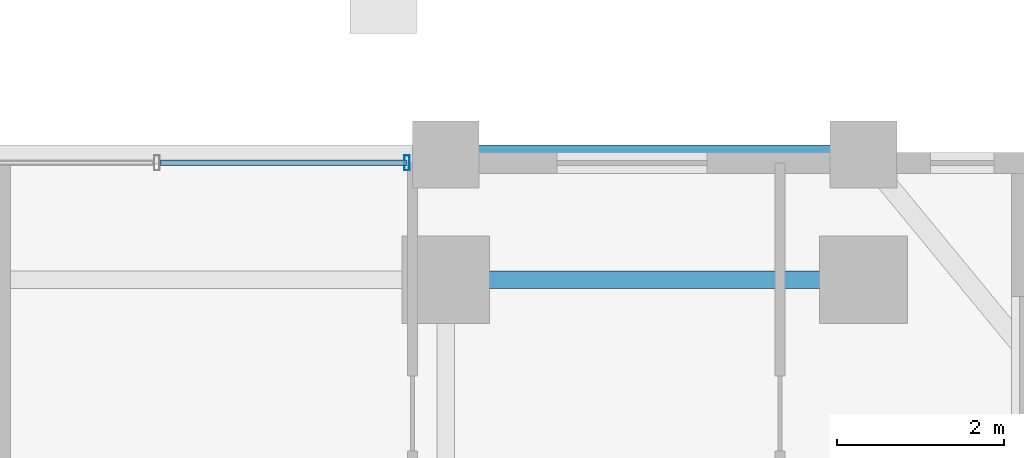
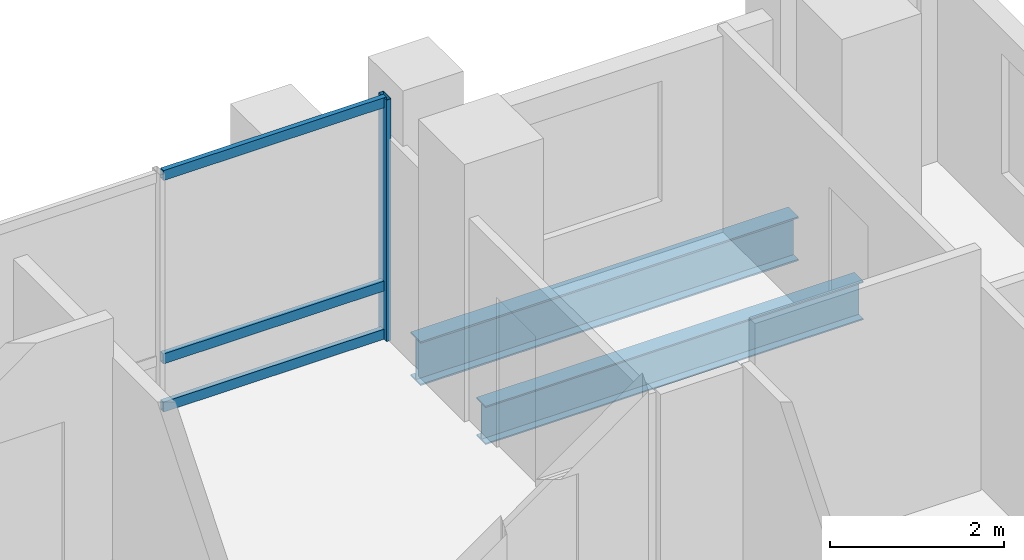
# One storey, part 16 of 24: 4 members, 2 beams, 1 element without a shape of its own.
"""IFC4 building model written with IfcOpenShell, lengths in metres."""

from ifc_helpers import new_model, si_unit, direction, frame, origin, origin_2d, place, context, subcontext, project, spatial, hollow_rectangle, i_section, extrude, material, layer, layer_set, material_profile, profile_set, type_object, element, aggregate, save


model = new_model("IFC4")

# Units and contexts
model_context = context("Model", 3, precision=1e-05, world=origin(), true_north=direction((0.0, 1.0)))
body_context = subcontext(model_context, "Body", "Model", "MODEL_VIEW")
ifc_project = project(units=[si_unit("LENGTHUNIT", "METRE"), si_unit("AREAUNIT", "SQUARE_METRE"), si_unit("VOLUMEUNIT", "CUBIC_METRE"), si_unit("PLANEANGLEUNIT", "RADIAN"), si_unit("MASSUNIT", "GRAM", prefix="KILO")], contexts=[model_context])

# Site, building, storey
site_placement = place(None, origin())
site = spatial("IfcSite", under=ifc_project, at=site_placement, CompositionType="ELEMENT")
building_placement = place(site_placement, origin())
building = spatial("IfcBuilding", under=site, at=building_placement, Name="Barlavira Tower and Art Museum", CompositionType="ELEMENT")
storey_placement = place(building_placement, frame((0.0, 0.0, 201.60009765625)))
storey = spatial("IfcBuildingStorey", under=building, at=storey_placement, Name="L52", CompositionType="ELEMENT", Elevation=201.60009765625)

# Curtain wall, members
ifc_material_1 = material(Name="Low-iron coastal laminated glass", Category="glass")
ifc_layer = layer(ifc_material_1, 0.199951171875, Name="Low-iron coastal laminated glass")
ifc_layer_set = layer_set([ifc_layer], Name="Low-iron coastal laminated glass")
curtain_wall_type = type_object("IfcCurtainWallType", Name="Pale-Metal Unitised Curtain Wall Zone 3", PredefinedType="NOTDEFINED", material=ifc_layer_set)
curtain_wall_placement = place(storey_placement, origin())
curtain_wall = element("IfcCurtainWall", 1, at=curtain_wall_placement, inside=storey, type_object=curtain_wall_type, Name="L52 Curtain Wall CW3-L52-N-B3", PredefinedType="NOTDEFINED")
ifc_material_2 = material(Name="Pale anodised aluminium", Category="aluminium")
ifc_material_profile_1 = material_profile(ifc_material_2, hollow_rectangle(XDim=0.06494140625, YDim=0.179931640625, WallThickness=0.00390625, at=origin_2d()), Name="ALU-MULL 65x180x4")
ifc_profile_set_1 = profile_set([ifc_material_profile_1], Name="Pale anodised aluminium")
member_type_1 = type_object("IfcMemberType", Name="Curtain Wall Pale-Metal Mullion 65x180", PredefinedType="MULLION", material=ifc_profile_set_1)
member_1_placement = place(storey_placement, frame((6.034912109375, 21.39990234375, 0.0), z_axis=(0.0, 0.0, 1.0), x_axis=(-1.0, 0.0, 0.0)))
member_1 = element("IfcMember", 2, at=member_1_placement, type_object=member_type_1, Name="CW3-L52-N-B3 Mullion 0", PredefinedType="MULLION", context=body_context, shape_type="SweptSolid", body=[
    extrude(hollow_rectangle(XDim=0.06494140625, YDim=0.179931640625, WallThickness=0.00390625, at=origin_2d()), origin(), (0.0, 0.0, 1.0), 3.3798828125),
])
ifc_material_profile_2 = material_profile(ifc_material_2, hollow_rectangle(XDim=0.06494140625, YDim=0.139892578125, WallThickness=0.00390625, at=origin_2d()), Name="ALU-TRAN 65x140x4")
ifc_profile_set_2 = profile_set([ifc_material_profile_2], Name="Pale anodised aluminium")
member_type_2 = type_object("IfcMemberType", Name="Curtain Wall Pale-Metal Transom 65x140", PredefinedType="USERDEFINED", material=ifc_profile_set_2)
member_2_placement = place(storey_placement, frame((6.034912109375, 21.39990234375, 0.06982421875), z_axis=(-1.0, 0.0, 0.0), x_axis=(0.0, -1.0, 0.0)))
member_2 = element("IfcMember", 3, at=member_2_placement, type_object=member_type_2, Name="CW3-L52-N-B3 Transom 0.1", ObjectType="TRANSOM", PredefinedType="USERDEFINED", context=body_context, shape_type="SweptSolid", body=[
    extrude(hollow_rectangle(XDim=0.06494140625, YDim=0.139892578125, WallThickness=0.00390625, at=origin_2d()), origin(), (0.0, 0.0, 1.0), 2.949951171875),
])
member_3_placement = place(storey_placement, frame((6.034912109375, 21.39990234375, 0.743896484375), z_axis=(-1.0, 0.0, 0.0), x_axis=(0.0, -1.0, 0.0)))
member_3 = element("IfcMember", 4, at=member_3_placement, type_object=member_type_2, Name="CW3-L52-N-B3 Transom 0.2", ObjectType="TRANSOM", PredefinedType="USERDEFINED", context=body_context, shape_type="SweptSolid", body=[
    extrude(hollow_rectangle(XDim=0.06494140625, YDim=0.139892578125, WallThickness=0.00390625, at=origin_2d()), origin(), (0.0, 0.0, 1.0), 2.949951171875),
])
member_4_placement = place(storey_placement, frame((6.034912109375, 21.39990234375, 3.309814453125), z_axis=(-1.0, 0.0, 0.0), x_axis=(0.0, -1.0, 0.0)))
member_4 = element("IfcMember", 5, at=member_4_placement, type_object=member_type_2, Name="CW3-L52-N-B3 Transom 0.3", ObjectType="TRANSOM", PredefinedType="USERDEFINED", context=body_context, shape_type="SweptSolid", body=[
    extrude(hollow_rectangle(XDim=0.06494140625, YDim=0.139892578125, WallThickness=0.00390625, at=origin_2d()), origin(), (0.0, 0.0, 1.0), 2.949951171875),
])
aggregate(curtain_wall, [member_1, member_2, member_3, member_4])

# Beams
ifc_material_3 = material(Name="Steel S355", Category="steel")
ifc_material_profile_3 = material_profile(ifc_material_3, i_section(OverallWidth=0.22998046875, OverallDepth=0.616943359375, WebThickness=0.01318359375, FlangeThickness=0.022216796875, at=origin_2d()), Name="W610x140.0")
ifc_profile_set_3 = profile_set([ifc_material_profile_3], Name="Steel S355")
beam_type_1 = type_object("IfcBeamType", Name="Upper Shaft Spandrel Edge Beam W610x140 Steel S355", PredefinedType="SPANDREL", material=ifc_profile_set_3)
beam_1_placement = place(storey_placement, frame((6.5, 21.5, -0.528564453125), z_axis=(1.0, 0.0, 0.0), x_axis=(0.0, 1.0, 0.0)))
element("IfcBeam", 6, at=beam_1_placement, inside=storey, type_object=beam_type_1, Name="L52 Spandrel 9", PredefinedType="SPANDREL", context=body_context, shape_type="SweptSolid", body=[
    extrude(i_section(OverallWidth=0.22998046875, OverallDepth=0.616943359375, WebThickness=0.01318359375, FlangeThickness=0.022216796875, at=origin_2d()), origin(), (0.0, 0.0, 1.0), 5.0),
])
ifc_material_profile_4 = material_profile(ifc_material_3, i_section(OverallWidth=0.2109375, OverallDepth=0.5390625, WebThickness=0.01171875, FlangeThickness=0.018798828125, at=origin_2d()), Name="W530x109.0")
ifc_profile_set_4 = profile_set([ifc_material_profile_4], Name="Steel S355")
beam_type_2 = type_object("IfcBeamType", Name="Zone 3-4 Primary Floor Girder W530x109 Steel S355", PredefinedType="BEAM", material=ifc_profile_set_4)
beam_2_placement = place(storey_placement, frame((6.5, 20.0, -0.489501953125), z_axis=(1.0, 0.0, 0.0), x_axis=(0.0, 1.0, 0.0)))
element("IfcBeam", 7, at=beam_2_placement, inside=storey, type_object=beam_type_2, Name="L52 Girder M-N3", PredefinedType="BEAM", context=body_context, shape_type="SweptSolid", body=[
    extrude(i_section(OverallWidth=0.2109375, OverallDepth=0.5390625, WebThickness=0.01171875, FlangeThickness=0.018798828125, at=origin_2d()), origin(), (0.0, 0.0, 1.0), 5.0),
])

save(model, "model.ifc")
